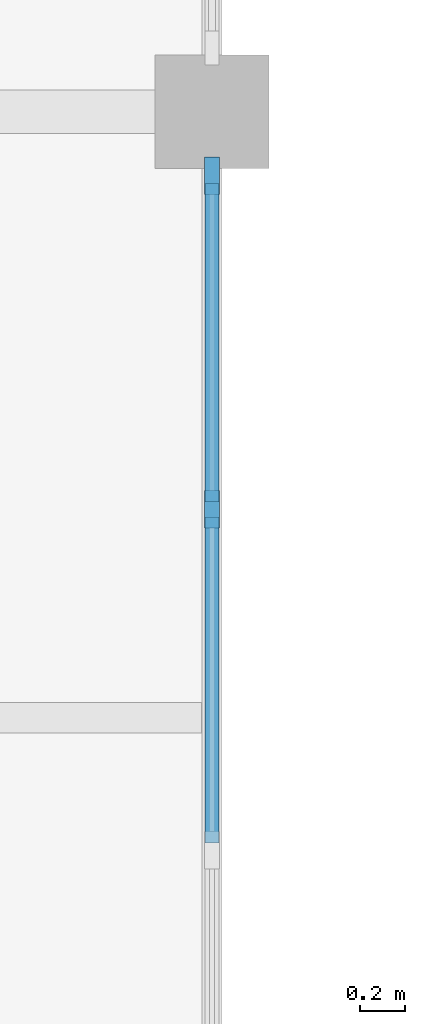
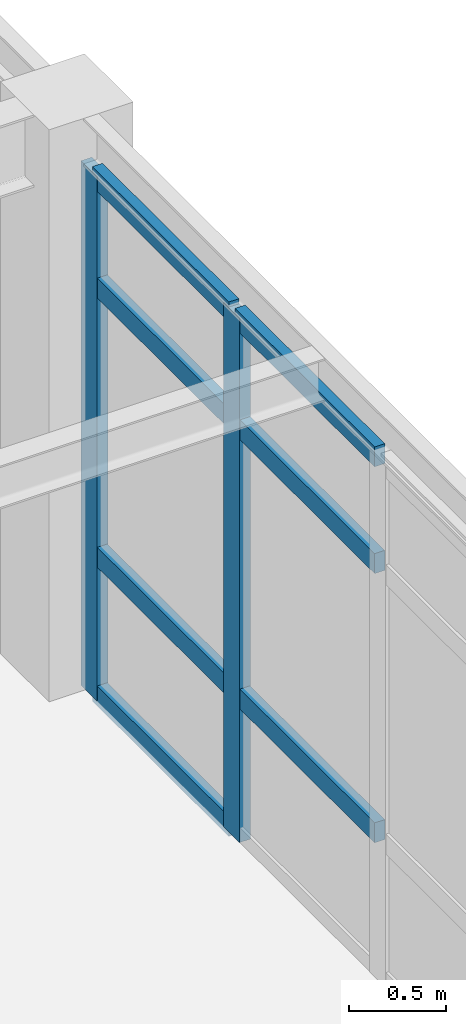
# One storey, part 11 of 32: 9 members, 1 element without a shape of its own.
"""IFC4 building model written with IfcOpenShell, lengths in metres."""

from ifc_helpers import new_model, si_unit, direction, frame, origin, origin_2d, place, context, subcontext, project, spatial, rectangle, extrude, material, layer, layer_set, material_profile, profile_set, type_object, element, aggregate, save


model = new_model("IFC4")

# Units and contexts
model_context = context("Model", 3, precision=1e-05, world=origin(), true_north=direction((0.0, 1.0)))
body_context = subcontext(model_context, "Body", "Model", "MODEL_VIEW")
ifc_project = project(units=[si_unit("LENGTHUNIT", "METRE"), si_unit("AREAUNIT", "SQUARE_METRE"), si_unit("VOLUMEUNIT", "CUBIC_METRE"), si_unit("PLANEANGLEUNIT", "RADIAN"), si_unit("MASSUNIT", "GRAM", prefix="KILO")], contexts=[model_context])

# Site, building, storey
site_placement = place(None, origin())
site = spatial("IfcSite", under=ifc_project, at=site_placement, CompositionType="ELEMENT")
building_placement = place(site_placement, origin())
building = spatial("IfcBuilding", under=site, at=building_placement, Name="Kranzveld Transit Interchange", CompositionType="ELEMENT")
storey_placement = place(building_placement, frame((0.0, 0.0, 17.199951171875)))
storey = spatial("IfcBuildingStorey", under=building, at=storey_placement, Name="L04", CompositionType="ELEMENT", Elevation=17.199951171875)

# Curtain wall, members
ifc_material_1 = material(Name="Bronze-anodised thermally broken aluminium", Category="aluminium")
ifc_layer = layer(ifc_material_1, 0.1650390625)
ifc_layer_set = layer_set([ifc_layer], Name="Bronze-anodised thermally broken aluminium")
curtain_wall_type = type_object("IfcCurtainWallType", Name="Sunny Court Arcade Curtain Wall CW-2", PredefinedType="USERDEFINED", material=ifc_layer_set)
curtain_wall_placement = place(storey_placement, origin())
curtain_wall = element("IfcCurtainWall", 1, at=curtain_wall_placement, inside=storey, type_object=curtain_wall_type, Name="L04 Curtain Wall 05/K-05/L", ObjectType="CURTAIN WALL", PredefinedType="USERDEFINED")
ifc_material_2 = material(Name="Bronze-anodised thermally broken aluminium", Category="aluminium")
ifc_material_profile_1 = material_profile(ifc_material_2, rectangle(XDim=0.06494140625, YDim=0.1650390625, at=origin_2d()), Name="ALU MULLION 65x165")
ifc_profile_set_1 = profile_set([ifc_material_profile_1], Name="Bronze-anodised thermally broken aluminium")
member_type_1 = type_object("IfcMemberType", Name="Curtain Wall Mullion 65x165 Alu", PredefinedType="MULLION", material=ifc_profile_set_1)
member_1_placement = place(storey_placement, frame((33.60009765625, 78.25, 0.0), z_axis=(0.0, 0.0, 1.0), x_axis=(-1.0, 0.0, 0.0)))
member_1 = element("IfcMember", 2, at=member_1_placement, type_object=member_type_1, Name="CW-2 mullion 5", PredefinedType="MULLION", context=body_context, shape_type="SweptSolid", body=[
    extrude(rectangle(XDim=0.06494140625, YDim=0.1650390625, at=origin_2d()), origin(), (0.0, 0.0, 1.0), 3.2900390625),
])
member_2_placement = place(storey_placement, frame((33.60009765625, 79.717529296875, 0.0), z_axis=(0.0, 0.0, 1.0), x_axis=(-1.0, 0.0, 0.0)))
member_2 = element("IfcMember", 3, at=member_2_placement, type_object=member_type_1, Name="CW-2 mullion 6", PredefinedType="MULLION", context=body_context, shape_type="SweptSolid", body=[
    extrude(rectangle(XDim=0.06494140625, YDim=0.1650390625, at=origin_2d()), origin(), (0.0, 0.0, 1.0), 3.2900390625),
])
ifc_material_3 = material(Name="Bronze-anodised thermally broken aluminium", Category="aluminium")
ifc_material_profile_2 = material_profile(ifc_material_3, rectangle(XDim=0.06005859375, YDim=0.125, at=origin_2d()), Name="ALU TRANSOM 60x125")
ifc_profile_set_2 = profile_set([ifc_material_profile_2], Name="Bronze-anodised thermally broken aluminium")
member_type_2 = type_object("IfcMemberType", Name="Curtain Wall Transom 60x125 Alu", PredefinedType="USERDEFINED", material=ifc_profile_set_2)
member_3_placement = place(storey_placement, frame((33.60009765625, 76.782470703125, 0.900146484375), z_axis=(0.0, 1.0, 0.0), x_axis=(-1.0, 0.0, 0.0)))
member_3 = element("IfcMember", 4, at=member_3_placement, type_object=member_type_2, Name="CW-2 transom 4.2", ObjectType="TRANSOM", PredefinedType="USERDEFINED", context=body_context, shape_type="SweptSolid", body=[
    extrude(rectangle(XDim=0.06005859375, YDim=0.125, at=origin_2d()), origin(), (0.0, 0.0, 1.0), 1.43505859375),
])
member_4_placement = place(storey_placement, frame((33.60009765625, 76.782470703125, 2.590087890625), z_axis=(0.0, 1.0, 0.0), x_axis=(-1.0, 0.0, 0.0)))
member_4 = element("IfcMember", 5, at=member_4_placement, type_object=member_type_2, Name="CW-2 transom 4.3", ObjectType="TRANSOM", PredefinedType="USERDEFINED", context=body_context, shape_type="SweptSolid", body=[
    extrude(rectangle(XDim=0.06005859375, YDim=0.125, at=origin_2d()), origin(), (0.0, 0.0, 1.0), 1.43505859375),
])
member_5_placement = place(storey_placement, frame((33.60009765625, 76.782470703125, 3.260009765625), z_axis=(0.0, 1.0, 0.0), x_axis=(-1.0, 0.0, 0.0)))
member_5 = element("IfcMember", 6, at=member_5_placement, type_object=member_type_2, Name="CW-2 transom 4.4", ObjectType="TRANSOM", PredefinedType="USERDEFINED", context=body_context, shape_type="SweptSolid", body=[
    extrude(rectangle(XDim=0.06005859375, YDim=0.125, at=origin_2d()), origin(), (0.0, 0.0, 1.0), 1.43505859375),
])
member_6_placement = place(storey_placement, frame((33.60009765625, 78.282470703125, 0.030029296875), z_axis=(0.0, 1.0, 0.0), x_axis=(-1.0, 0.0, 0.0)))
member_6 = element("IfcMember", 7, at=member_6_placement, type_object=member_type_2, Name="CW-2 transom 5.1", ObjectType="TRANSOM", PredefinedType="USERDEFINED", context=body_context, shape_type="SweptSolid", body=[
    extrude(rectangle(XDim=0.06005859375, YDim=0.125, at=origin_2d()), origin(), (0.0, 0.0, 1.0), 1.402587890625),
])
member_7_placement = place(storey_placement, frame((33.60009765625, 78.282470703125, 0.900146484375), z_axis=(0.0, 1.0, 0.0), x_axis=(-1.0, 0.0, 0.0)))
member_7 = element("IfcMember", 8, at=member_7_placement, type_object=member_type_2, Name="CW-2 transom 5.2", ObjectType="TRANSOM", PredefinedType="USERDEFINED", context=body_context, shape_type="SweptSolid", body=[
    extrude(rectangle(XDim=0.06005859375, YDim=0.125, at=origin_2d()), origin(), (0.0, 0.0, 1.0), 1.402587890625),
])
member_8_placement = place(storey_placement, frame((33.60009765625, 78.282470703125, 2.590087890625), z_axis=(0.0, 1.0, 0.0), x_axis=(-1.0, 0.0, 0.0)))
member_8 = element("IfcMember", 9, at=member_8_placement, type_object=member_type_2, Name="CW-2 transom 5.3", ObjectType="TRANSOM", PredefinedType="USERDEFINED", context=body_context, shape_type="SweptSolid", body=[
    extrude(rectangle(XDim=0.06005859375, YDim=0.125, at=origin_2d()), origin(), (0.0, 0.0, 1.0), 1.402587890625),
])
member_9_placement = place(storey_placement, frame((33.60009765625, 78.282470703125, 3.260009765625), z_axis=(0.0, 1.0, 0.0), x_axis=(-1.0, 0.0, 0.0)))
member_9 = element("IfcMember", 10, at=member_9_placement, type_object=member_type_2, Name="CW-2 transom 5.4", ObjectType="TRANSOM", PredefinedType="USERDEFINED", context=body_context, shape_type="SweptSolid", body=[
    extrude(rectangle(XDim=0.06005859375, YDim=0.125, at=origin_2d()), origin(), (0.0, 0.0, 1.0), 1.402587890625),
])
aggregate(curtain_wall, [member_1, member_2, member_3, member_4, member_5, member_6, member_7, member_8, member_9])

save(model, "model.ifc")
